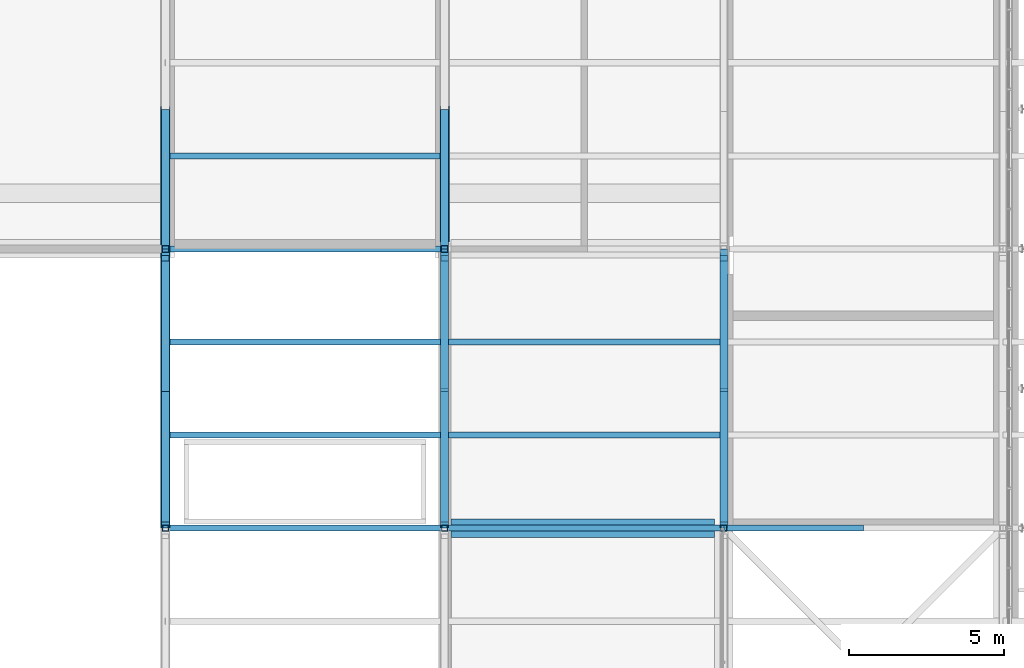
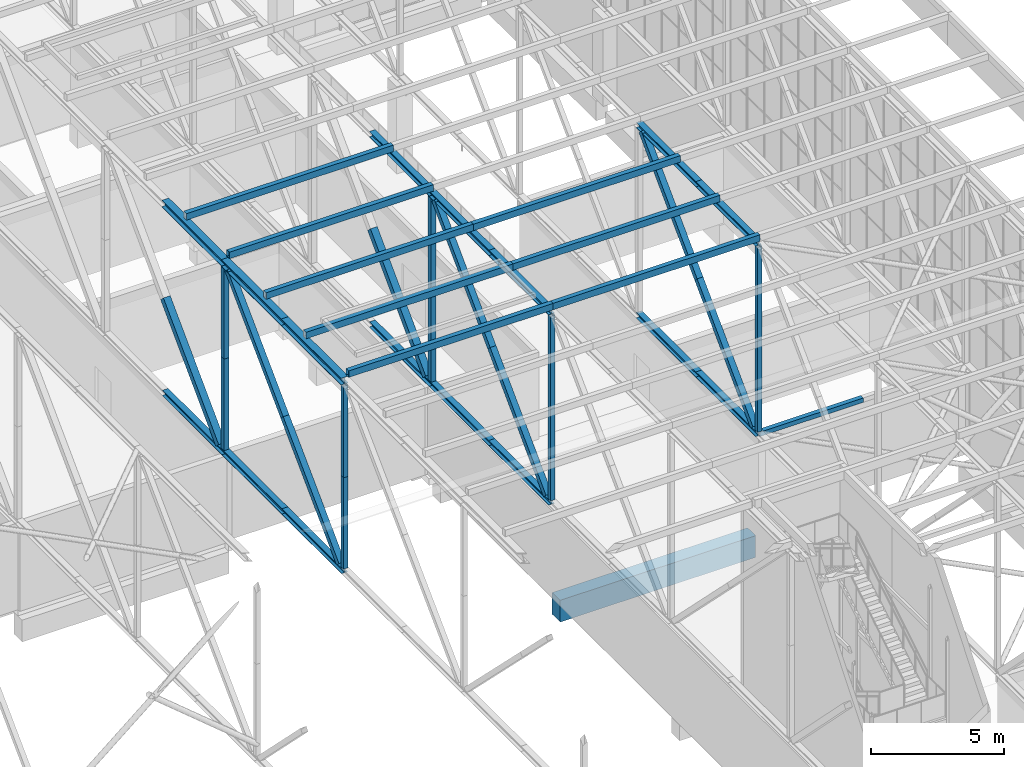
# One storey, part 101 of 646: 43 members, 1 beam.
"""IFC4 building model written with IfcOpenShell, lengths in metres."""

from ifc_helpers import new_model, si_unit, direction, frame, origin, origin_2d, place, context, subcontext, project, spatial, rectangle, hollow_rectangle, i_section, extrude, material, material_profile, profile_set, type_object, element, save


model = new_model("IFC4")

# Units and contexts
model_context = context("Model", 3, precision=1e-05, world=origin(), true_north=direction((0.0, 1.0)))
body_context = subcontext(model_context, "Body", "Model", "MODEL_VIEW")
ifc_project = project(units=[si_unit("LENGTHUNIT", "METRE"), si_unit("AREAUNIT", "SQUARE_METRE"), si_unit("VOLUMEUNIT", "CUBIC_METRE"), si_unit("PLANEANGLEUNIT", "RADIAN"), si_unit("MASSUNIT", "GRAM", prefix="KILO")], contexts=[model_context])

# Site, building, storey
site_placement = place(None, origin())
site = spatial("IfcSite", under=ifc_project, at=site_placement, CompositionType="ELEMENT")
building_placement = place(site_placement, origin())
building = spatial("IfcBuilding", under=site, at=building_placement, Name="Silverbay Arena", CompositionType="ELEMENT")
storey_placement = place(building_placement, frame((0.0, 0.0, 33.5)))
storey = spatial("IfcBuildingStorey", under=building, at=storey_placement, Name="L05", CompositionType="ELEMENT", Elevation=33.5)

# Members
ifc_material_1 = material(Name="Steel S355", Category="steel")
ifc_material_profile_1 = material_profile(ifc_material_1, hollow_rectangle(XDim=0.199951171875, YDim=0.199951171875, WallThickness=0.008056640625, at=origin_2d()), Name="SHS 200x200x8")
ifc_profile_set_1 = profile_set([ifc_material_profile_1], Name="Steel S355")
member_type_1 = type_object("IfcMemberType", Name="Bracing strut SHS 200x200x8", PredefinedType="STRUT", material=ifc_profile_set_1)
member_1_placement = place(storey_placement, frame((198.0, 90.0, 4.126953125), z_axis=(1.0, 0.0, 0.0), x_axis=(0.0, 1.0, 0.0)))
element("IfcMember", 1, at=member_1_placement, inside=storey, type_object=member_type_1, Name="ROOF BRACING strut 23-24 line 10a", PredefinedType="STRUT", context=body_context, shape_type="SweptSolid", body=[
    extrude(hollow_rectangle(XDim=0.199951171875, YDim=0.199951171875, WallThickness=0.008056640625, at=origin_2d()), origin(), (0.0, 0.0, 1.0), 4.5),
])
ifc_material_2 = material(Name="Steel S355", Category="steel")
ifc_material_profile_2 = material_profile(ifc_material_2, i_section(OverallWidth=0.2587890625, OverallDepth=0.2666015625, WebThickness=0.0126953125, FlangeThickness=0.0205078125, at=origin_2d()), Name="UC 254x254x107")
ifc_profile_set_2 = profile_set([ifc_material_profile_2], Name="Steel S355")
member_type_2 = type_object("IfcMemberType", Name="Long-span bottom chord UC 254x254x107", PredefinedType="CHORD", material=ifc_profile_set_2)
for number, where, z_axis, x_axis, name in (
    (2, (180.0, 90.0, 4.13330078125), (0.0, 1.0, 0.0), (-1.0, 0.0, 0.0), "ROOF TRUSS 21 bottom chord 10a"),
    (3, (180.0, 94.5, 4.13330078125), (0.0, 1.0, 0.0), (-1.0, 0.0, 0.0), "ROOF TRUSS 21 bottom chord 10b"),
):
    element("IfcMember", number, at=place(storey_placement, frame(where, z_axis=z_axis, x_axis=x_axis)), inside=storey, type_object=member_type_2, Name=name, PredefinedType="CHORD", context=body_context, shape_type="SweptSolid", body=[
        extrude(i_section(OverallWidth=0.2587890625, OverallDepth=0.2666015625, WebThickness=0.0126953125, FlangeThickness=0.0205078125, at=origin_2d()), origin(), (0.0, 0.0, 1.0), 4.5),
    ])
ifc_material_3 = material(Name="Steel S355", Category="steel")
ifc_material_profile_3 = material_profile(ifc_material_3, i_section(OverallWidth=0.254638671875, OverallDepth=0.254150390625, WebThickness=0.008544921875, FlangeThickness=0.01416015625, at=origin_2d()), Name="UC 254x254x73")
ifc_profile_set_3 = profile_set([ifc_material_profile_3], Name="Steel S355")
member_type_3 = type_object("IfcMemberType", Name="Long-span bottom chord UC 254x254x73", PredefinedType="CHORD", material=ifc_profile_set_3)
member_2_placement = place(storey_placement, frame((180.0, 99.0, 4.126953125), z_axis=(0.0, 1.0, 0.0), x_axis=(-1.0, 0.0, 0.0)))
element("IfcMember", 4, at=member_2_placement, inside=storey, type_object=member_type_3, Name="ROOF TRUSS 21 bottom chord 11a", PredefinedType="CHORD", context=body_context, shape_type="SweptSolid", body=[
    extrude(i_section(OverallWidth=0.254638671875, OverallDepth=0.254150390625, WebThickness=0.008544921875, FlangeThickness=0.01416015625, at=origin_2d()), origin(), (0.0, 0.0, 1.0), 4.5),
])
ifc_material_4 = material(Name="Steel S355", Category="steel")
ifc_material_profile_4 = material_profile(ifc_material_4, i_section(OverallWidth=0.307373046875, OverallDepth=0.314453125, WebThickness=0.011962890625, FlangeThickness=0.018798828125, at=origin_2d()), Name="UC 305x305x118")
ifc_profile_set_4 = profile_set([ifc_material_profile_4], Name="Steel S355")
member_type_4 = type_object("IfcMemberType", Name="Long-span top chord UC 305x305x118", PredefinedType="CHORD", material=ifc_profile_set_4)
member_3_placement = place(storey_placement, frame((180.0, 99.0, 12.8427734375), z_axis=(0.0, 1.0, 0.0), x_axis=(-1.0, 0.0, 0.0)))
element("IfcMember", 5, at=member_3_placement, inside=storey, type_object=member_type_4, Name="ROOF TRUSS 21 top chord 11a", PredefinedType="CHORD", context=body_context, shape_type="SweptSolid", body=[
    extrude(i_section(OverallWidth=0.307373046875, OverallDepth=0.314453125, WebThickness=0.011962890625, FlangeThickness=0.018798828125, at=origin_2d()), origin(), (0.0, 0.0, 1.0), 4.5),
])
ifc_material_5 = material(Name="Steel S355", Category="steel")
ifc_material_profile_5 = material_profile(ifc_material_5, i_section(OverallWidth=0.311279296875, OverallDepth=0.3271484375, WebThickness=0.015869140625, FlangeThickness=0.02490234375, at=origin_2d()), Name="UC 305x305x158")
ifc_profile_set_5 = profile_set([ifc_material_profile_5], Name="Steel S355")
member_type_5 = type_object("IfcMemberType", Name="Long-span top chord UC 305x305x158", PredefinedType="CHORD", material=ifc_profile_set_5)
for number, where, z_axis, x_axis, name in (
    (6, (180.0, 90.0, 12.83642578125), (0.0, 1.0, 0.0), (-1.0, 0.0, 0.0), "ROOF TRUSS 21 top chord 10a"),
    (7, (180.0, 94.5, 12.83642578125), (0.0, 1.0, 0.0), (-1.0, 0.0, 0.0), "ROOF TRUSS 21 top chord 10b"),
):
    element("IfcMember", number, at=place(storey_placement, frame(where, z_axis=z_axis, x_axis=x_axis)), inside=storey, type_object=member_type_5, Name=name, PredefinedType="CHORD", context=body_context, shape_type="SweptSolid", body=[
        extrude(i_section(OverallWidth=0.311279296875, OverallDepth=0.3271484375, WebThickness=0.015869140625, FlangeThickness=0.02490234375, at=origin_2d()), origin(), (0.0, 0.0, 1.0), 4.5),
    ])
ifc_material_6 = material(Name="Steel S355", Category="steel")
ifc_material_profile_6 = material_profile(ifc_material_6, hollow_rectangle(XDim=0.260009765625, YDim=0.260009765625, WallThickness=0.010009765625, at=origin_2d()), Name="SHS 260x260x10")
ifc_profile_set_6 = profile_set([ifc_material_profile_6], Name="Steel S355")
member_type_6 = type_object("IfcMemberType", Name="Long-span truss diagonal SHS 260x260x10", PredefinedType="BRACE", material=ifc_profile_set_6)
for number, where, z_axis, x_axis, name in (
    (8, (180.0, 98.699462890625, 12.6728515625), (0.0, -0.707209440454, -0.707004107012), (1.0, 0.0, 0.0), "ROOF TRUSS 21 diagonal 10a"),
    (9, (180.0, 94.4951171875, 8.4697265625), (0.0, -0.707229966942, -0.706983573967), (1.0, 0.0, 0.0), "ROOF TRUSS 21 diagonal 10b"),
):
    element("IfcMember", number, at=place(storey_placement, frame(where, z_axis=z_axis, x_axis=x_axis)), inside=storey, type_object=member_type_6, Name=name, PredefinedType="BRACE", context=body_context, shape_type="SweptSolid", body=[
        extrude(hollow_rectangle(XDim=0.260009765625, YDim=0.260009765625, WallThickness=0.010009765625, at=origin_2d()), origin(), (0.0, 0.0, 1.0), 5.945068359375),
    ])
ifc_material_7 = material(Name="Steel S355", Category="steel")
ifc_material_profile_7 = material_profile(ifc_material_7, hollow_rectangle(XDim=0.300048828125, YDim=0.300048828125, WallThickness=0.012451171875, at=origin_2d()), Name="SHS 300x300x12.5")
ifc_profile_set_7 = profile_set([ifc_material_profile_7], Name="Steel S355")
member_type_7 = type_object("IfcMemberType", Name="Long-span truss diagonal SHS 300x300x12.5", PredefinedType="BRACE", material=ifc_profile_set_7)
member_4_placement = place(storey_placement, frame((180.0, 103.492431640625, 8.4697265625), z_axis=(0.0, -0.702663144444, -0.711522666849), x_axis=(1.0, 0.0, 0.0)))
element("IfcMember", 10, at=member_4_placement, inside=storey, type_object=member_type_7, Name="ROOF TRUSS 21 diagonal 11b", PredefinedType="BRACE", context=body_context, shape_type="SweptSolid", body=[
    extrude(hollow_rectangle(XDim=0.300048828125, YDim=0.300048828125, WallThickness=0.012451171875, at=origin_2d()), origin(), (0.0, 0.0, 1.0), 5.9248046875),
])
ifc_material_8 = material(Name="Steel S355", Category="steel")
ifc_material_profile_8 = material_profile(ifc_material_8, hollow_rectangle(XDim=0.199951171875, YDim=0.199951171875, WallThickness=0.008056640625, at=origin_2d()), Name="SHS 200x200x8")
ifc_profile_set_8 = profile_set([ifc_material_profile_8], Name="Steel S355")
member_type_8 = type_object("IfcMemberType", Name="Long-span truss vertical SHS 200x200x8", PredefinedType="STRUT", material=ifc_profile_set_8)
for number, where, z_axis, x_axis, name in (
    (11, (180.0, 90.0, 4.2666015625), (0.0, 0.0, 1.0), (1.0, 0.0, 0.0), "ROOF TRUSS 21 vertical 10a"),
    (12, (180.0, 90.0, 8.4697265625), (0.0, 0.0, 1.0), (1.0, 0.0, 0.0), "ROOF TRUSS 21 vertical 10b"),
):
    element("IfcMember", number, at=place(storey_placement, frame(where, z_axis=z_axis, x_axis=x_axis)), inside=storey, type_object=member_type_8, Name=name, PredefinedType="STRUT", context=body_context, shape_type="SweptSolid", body=[
        extrude(hollow_rectangle(XDim=0.199951171875, YDim=0.199951171875, WallThickness=0.008056640625, at=origin_2d()), origin(), (0.0, 0.0, 1.0), 4.203125),
    ])
ifc_material_9 = material(Name="Steel S355", Category="steel")
ifc_material_profile_9 = material_profile(ifc_material_9, hollow_rectangle(XDim=0.219970703125, YDim=0.219970703125, WallThickness=0.008056640625, at=origin_2d()), Name="SHS 220x220x8")
ifc_profile_set_9 = profile_set([ifc_material_profile_9], Name="Steel S355")
member_type_9 = type_object("IfcMemberType", Name="Long-span truss vertical SHS 220x220x8", PredefinedType="STRUT", material=ifc_profile_set_9)
for number, where, z_axis, x_axis, name in (
    (13, (180.0, 99.0, 4.2666015625), (0.0, 0.0, 1.0), (1.0, 0.0, 0.0), "ROOF TRUSS 21 vertical 11a"),
    (14, (180.0, 99.0, 8.4697265625), (0.0, 0.0, 1.0), (1.0, 0.0, 0.0), "ROOF TRUSS 21 vertical 11b"),
):
    element("IfcMember", number, at=place(storey_placement, frame(where, z_axis=z_axis, x_axis=x_axis)), inside=storey, type_object=member_type_9, Name=name, PredefinedType="STRUT", context=body_context, shape_type="SweptSolid", body=[
        extrude(hollow_rectangle(XDim=0.219970703125, YDim=0.219970703125, WallThickness=0.008056640625, at=origin_2d()), origin(), (0.0, 0.0, 1.0), 4.203125),
    ])
ifc_material_10 = material(Name="Steel S355", Category="steel")
ifc_material_profile_10 = material_profile(ifc_material_10, i_section(OverallWidth=0.254638671875, OverallDepth=0.254150390625, WebThickness=0.008544921875, FlangeThickness=0.01416015625, at=origin_2d()), Name="UC 254x254x73")
ifc_profile_set_10 = profile_set([ifc_material_profile_10], Name="Steel S355")
member_type_10 = type_object("IfcMemberType", Name="Medium-span bottom chord UC 254x254x73", PredefinedType="CHORD", material=ifc_profile_set_10)
for number, where, z_axis, x_axis, name in (
    (15, (189.0, 90.0, 4.126953125), (0.0, 1.0, 0.0), (-1.0, 0.0, 0.0), "ROOF TRUSS 22 bottom chord 10a"),
    (16, (189.0, 94.5, 4.126953125), (0.0, 1.0, 0.0), (-1.0, 0.0, 0.0), "ROOF TRUSS 22 bottom chord 10b"),
    (17, (189.0, 99.0, 4.126953125), (0.0, 1.0, 0.0), (-1.0, 0.0, 0.0), "ROOF TRUSS 22 bottom chord 11a"),
):
    element("IfcMember", number, at=place(storey_placement, frame(where, z_axis=z_axis, x_axis=x_axis)), inside=storey, type_object=member_type_10, Name=name, PredefinedType="CHORD", context=body_context, shape_type="SweptSolid", body=[
        extrude(i_section(OverallWidth=0.254638671875, OverallDepth=0.254150390625, WebThickness=0.008544921875, FlangeThickness=0.01416015625, at=origin_2d()), origin(), (0.0, 0.0, 1.0), 4.5),
    ])
ifc_material_11 = material(Name="Steel S355", Category="steel")
ifc_material_profile_11 = material_profile(ifc_material_11, i_section(OverallWidth=0.2587890625, OverallDepth=0.2666015625, WebThickness=0.0126953125, FlangeThickness=0.0205078125, at=origin_2d()), Name="UC 254x254x107")
ifc_profile_set_11 = profile_set([ifc_material_profile_11], Name="Steel S355")
member_type_11 = type_object("IfcMemberType", Name="Medium-span top chord UC 254x254x107", PredefinedType="CHORD", material=ifc_profile_set_11)
for number, where, z_axis, x_axis, name in (
    (18, (189.0, 90.0, 12.86669921875), (0.0, 1.0, 0.0), (-1.0, 0.0, 0.0), "ROOF TRUSS 22 top chord 10a"),
    (19, (189.0, 94.5, 12.86669921875), (0.0, 1.0, 0.0), (-1.0, 0.0, 0.0), "ROOF TRUSS 22 top chord 10b"),
):
    element("IfcMember", number, at=place(storey_placement, frame(where, z_axis=z_axis, x_axis=x_axis)), inside=storey, type_object=member_type_11, Name=name, PredefinedType="CHORD", context=body_context, shape_type="SweptSolid", body=[
        extrude(i_section(OverallWidth=0.2587890625, OverallDepth=0.2666015625, WebThickness=0.0126953125, FlangeThickness=0.0205078125, at=origin_2d()), origin(), (0.0, 0.0, 1.0), 4.5),
    ])
ifc_material_12 = material(Name="Steel S355", Category="steel")
ifc_material_profile_12 = material_profile(ifc_material_12, i_section(OverallWidth=0.254638671875, OverallDepth=0.254150390625, WebThickness=0.008544921875, FlangeThickness=0.01416015625, at=origin_2d()), Name="UC 254x254x73")
ifc_profile_set_12 = profile_set([ifc_material_profile_12], Name="Steel S355")
member_type_12 = type_object("IfcMemberType", Name="Medium-span top chord UC 254x254x73", PredefinedType="CHORD", material=ifc_profile_set_12)
member_5_placement = place(storey_placement, frame((189.0, 99.0, 12.873046875), z_axis=(0.0, 1.0, 0.0), x_axis=(-1.0, 0.0, 0.0)))
element("IfcMember", 20, at=member_5_placement, inside=storey, type_object=member_type_12, Name="ROOF TRUSS 22 top chord 11a", PredefinedType="CHORD", context=body_context, shape_type="SweptSolid", body=[
    extrude(i_section(OverallWidth=0.254638671875, OverallDepth=0.254150390625, WebThickness=0.008544921875, FlangeThickness=0.01416015625, at=origin_2d()), origin(), (0.0, 0.0, 1.0), 4.5),
])
ifc_material_13 = material(Name="Steel S355", Category="steel")
ifc_material_profile_13 = material_profile(ifc_material_13, hollow_rectangle(XDim=0.260009765625, YDim=0.260009765625, WallThickness=0.010009765625, at=origin_2d()), Name="SHS 260x260x10")
ifc_profile_set_13 = profile_set([ifc_material_profile_13], Name="Steel S355")
member_type_13 = type_object("IfcMemberType", Name="Medium-span truss diagonal SHS 260x260x10", PredefinedType="BRACE", material=ifc_profile_set_13)
for number, where, z_axis, x_axis, name in (
    (21, (189.0, 98.700439453125, 12.7333984375), (0.0, -0.704218618707, -0.709983194918), (1.0, 0.0, 0.0), "ROOF TRUSS 22 diagonal 10a"),
    (22, (189.0, 94.4951171875, 8.49365234375), (0.0, -0.704259667026, -0.709942477529), (1.0, 0.0, 0.0), "ROOF TRUSS 22 diagonal 10b"),
):
    element("IfcMember", number, at=place(storey_placement, frame(where, z_axis=z_axis, x_axis=x_axis)), inside=storey, type_object=member_type_13, Name=name, PredefinedType="BRACE", context=body_context, shape_type="SweptSolid", body=[
        extrude(hollow_rectangle(XDim=0.260009765625, YDim=0.260009765625, WallThickness=0.010009765625, at=origin_2d()), origin(), (0.0, 0.0, 1.0), 5.9716796875),
    ])
ifc_material_14 = material(Name="Steel S355", Category="steel")
ifc_material_profile_14 = material_profile(ifc_material_14, hollow_rectangle(XDim=0.300048828125, YDim=0.300048828125, WallThickness=0.012451171875, at=origin_2d()), Name="SHS 300x300x12.5")
ifc_profile_set_14 = profile_set([ifc_material_profile_14], Name="Steel S355")
member_type_14 = type_object("IfcMemberType", Name="Medium-span truss diagonal SHS 300x300x12.5", PredefinedType="BRACE", material=ifc_profile_set_14)
member_6_placement = place(storey_placement, frame((189.0, 103.492431640625, 8.5), z_axis=(0.0, -0.700176070598, -0.713970216579), x_axis=(1.0, 0.0, 0.0)))
element("IfcMember", 23, at=member_6_placement, inside=storey, type_object=member_type_14, Name="ROOF TRUSS 22 diagonal 11b", PredefinedType="BRACE", context=body_context, shape_type="SweptSolid", body=[
    extrude(hollow_rectangle(XDim=0.300048828125, YDim=0.300048828125, WallThickness=0.012451171875, at=origin_2d()), origin(), (0.0, 0.0, 1.0), 5.94677734375),
])
ifc_material_15 = material(Name="Steel S355", Category="steel")
ifc_material_profile_15 = material_profile(ifc_material_15, hollow_rectangle(XDim=0.199951171875, YDim=0.199951171875, WallThickness=0.008056640625, at=origin_2d()), Name="SHS 200x200x8")
ifc_profile_set_15 = profile_set([ifc_material_profile_15], Name="Steel S355")
member_type_15 = type_object("IfcMemberType", Name="Medium-span truss vertical SHS 200x200x8", PredefinedType="STRUT", material=ifc_profile_set_15)
member_7_placement = place(storey_placement, frame((189.0, 90.0, 4.254150390625), z_axis=(0.0, 0.0, 1.0), x_axis=(1.0, 0.0, 0.0)))
element("IfcMember", 24, at=member_7_placement, inside=storey, type_object=member_type_15, Name="ROOF TRUSS 22 vertical 10a", PredefinedType="STRUT", context=body_context, shape_type="SweptSolid", body=[
    extrude(hollow_rectangle(XDim=0.199951171875, YDim=0.199951171875, WallThickness=0.008056640625, at=origin_2d()), origin(), (0.0, 0.0, 1.0), 4.239501953125),
])
member_8_placement = place(storey_placement, frame((189.0, 90.0, 8.49365234375), z_axis=(0.0, 0.0, 1.0), x_axis=(1.0, 0.0, 0.0)))
element("IfcMember", 25, at=member_8_placement, inside=storey, type_object=member_type_15, Name="ROOF TRUSS 22 vertical 10b", PredefinedType="STRUT", context=body_context, shape_type="SweptSolid", body=[
    extrude(hollow_rectangle(XDim=0.199951171875, YDim=0.199951171875, WallThickness=0.008056640625, at=origin_2d()), origin(), (0.0, 0.0, 1.0), 4.23974609375),
])
ifc_material_16 = material(Name="Steel S355", Category="steel")
ifc_material_profile_16 = material_profile(ifc_material_16, hollow_rectangle(XDim=0.219970703125, YDim=0.219970703125, WallThickness=0.008056640625, at=origin_2d()), Name="SHS 220x220x8")
ifc_profile_set_16 = profile_set([ifc_material_profile_16], Name="Steel S355")
member_type_16 = type_object("IfcMemberType", Name="Medium-span truss vertical SHS 220x220x8", PredefinedType="STRUT", material=ifc_profile_set_16)
member_9_placement = place(storey_placement, frame((189.0, 99.0, 4.254150390625), z_axis=(0.0, 0.0, 1.0), x_axis=(1.0, 0.0, 0.0)))
element("IfcMember", 26, at=member_9_placement, inside=storey, type_object=member_type_16, Name="ROOF TRUSS 22 vertical 11a", PredefinedType="STRUT", context=body_context, shape_type="SweptSolid", body=[
    extrude(hollow_rectangle(XDim=0.219970703125, YDim=0.219970703125, WallThickness=0.008056640625, at=origin_2d()), origin(), (0.0, 0.0, 1.0), 4.239501953125),
])
member_10_placement = place(storey_placement, frame((189.0, 99.0, 8.49365234375), z_axis=(0.0, 0.0, 1.0), x_axis=(1.0, 0.0, 0.0)))
element("IfcMember", 27, at=member_10_placement, inside=storey, type_object=member_type_16, Name="ROOF TRUSS 22 vertical 11b", PredefinedType="STRUT", context=body_context, shape_type="SweptSolid", body=[
    extrude(hollow_rectangle(XDim=0.219970703125, YDim=0.219970703125, WallThickness=0.008056640625, at=origin_2d()), origin(), (0.0, 0.0, 1.0), 4.23974609375),
])
ifc_material_17 = material(Name="Steel S355", Category="steel")
ifc_material_profile_17 = material_profile(ifc_material_17, hollow_rectangle(XDim=0.199951171875, YDim=0.300048828125, WallThickness=0.00634765625, at=origin_2d()), Name="RHS 300x200x6.3")
ifc_profile_set_17 = profile_set([ifc_material_profile_17], Name="Steel S355")
member_type_17 = type_object("IfcMemberType", Name="Purlin RHS 300x200x6.3", PredefinedType="PURLIN", material=ifc_profile_set_17)
member_11_placement = place(storey_placement, frame((180.125, 90.0, 13.14990234375), z_axis=(1.0, 0.0, 0.0), x_axis=(0.0, 1.0, 0.0)))
element("IfcMember", 28, at=member_11_placement, inside=storey, type_object=member_type_17, Name="ROOF PURLIN 21-22 line 28", PredefinedType="PURLIN", context=body_context, shape_type="SweptSolid", body=[
    extrude(hollow_rectangle(XDim=0.199951171875, YDim=0.300048828125, WallThickness=0.00634765625, at=origin_2d()), origin(), (0.0, 0.0, 1.0), 8.875),
])
for number, where, z_axis, x_axis, name in (
    (29, (180.0, 93.0, 13.14990234375), (1.0, 0.0, 0.0), (0.0, 1.0, 0.0), "ROOF PURLIN 21-22 line 29"),
    (30, (180.0, 96.0, 13.14990234375), (1.0, 0.0, 0.0), (0.0, 1.0, 0.0), "ROOF PURLIN 21-22 line 30"),
):
    element("IfcMember", number, at=place(storey_placement, frame(where, z_axis=z_axis, x_axis=x_axis)), inside=storey, type_object=member_type_17, Name=name, PredefinedType="PURLIN", context=body_context, shape_type="SweptSolid", body=[
        extrude(hollow_rectangle(XDim=0.199951171875, YDim=0.300048828125, WallThickness=0.00634765625, at=origin_2d()), origin(), (0.0, 0.0, 1.0), 9.0),
    ])
member_12_placement = place(storey_placement, frame((180.125, 99.0, 13.14990234375), z_axis=(1.0, 0.0, 0.0), x_axis=(0.0, 1.0, 0.0)))
element("IfcMember", 31, at=member_12_placement, inside=storey, type_object=member_type_17, Name="ROOF PURLIN 21-22 line 31", PredefinedType="PURLIN", context=body_context, shape_type="SweptSolid", body=[
    extrude(hollow_rectangle(XDim=0.199951171875, YDim=0.300048828125, WallThickness=0.00634765625, at=origin_2d()), origin(), (0.0, 0.0, 1.0), 8.875),
])
for number, where, z_axis, x_axis, name in (
    (32, (180.0, 102.0, 13.14990234375), (1.0, 0.0, 0.0), (0.0, 1.0, 0.0), "ROOF PURLIN 21-22 line 32"),
    (33, (189.0, 90.0, 13.14990234375), (1.0, 0.0, 0.0), (0.0, 1.0, 0.0), "ROOF PURLIN 22-23 line 28"),
    (34, (189.0, 93.0, 13.14990234375), (1.0, 0.0, 0.0), (0.0, 1.0, 0.0), "ROOF PURLIN 22-23 line 29"),
    (35, (189.0, 96.0, 13.14990234375), (1.0, 0.0, 0.0), (0.0, 1.0, 0.0), "ROOF PURLIN 22-23 line 30"),
):
    element("IfcMember", number, at=place(storey_placement, frame(where, z_axis=z_axis, x_axis=x_axis)), inside=storey, type_object=member_type_17, Name=name, PredefinedType="PURLIN", context=body_context, shape_type="SweptSolid", body=[
        extrude(hollow_rectangle(XDim=0.199951171875, YDim=0.300048828125, WallThickness=0.00634765625, at=origin_2d()), origin(), (0.0, 0.0, 1.0), 9.0),
    ])

# Beam
ifc_material_18 = material(Name="Concrete Grade C45", Category="concrete")
ifc_material_profile_18 = material_profile(ifc_material_18, rectangle(XDim=0.60009765625, YDim=1.0, at=origin_2d()), Name="RC 600x1000")
ifc_profile_set_18 = profile_set([ifc_material_profile_18], Name="Concrete Grade C45")
beam_type = type_object("IfcBeamType", Name="RC beam 600x1000", PredefinedType="BEAM", material=ifc_profile_set_18)
beam_placement = place(storey_placement, frame((189.199951171875, 90.0, -0.800048828125), z_axis=(1.0, 0.0, 0.0), x_axis=(0.0, 1.0, 0.0)))
element("IfcBeam", 36, at=beam_placement, inside=storey, type_object=beam_type, Name="Floor beam L05 038", PredefinedType="BEAM", context=body_context, shape_type="SweptSolid", body=[
    extrude(rectangle(XDim=0.60009765625, YDim=1.0, at=origin_2d()), origin(), (0.0, 0.0, 1.0), 8.5),
])

# Members
ifc_material_19 = material(Name="Steel S355", Category="steel")
ifc_material_profile_19 = material_profile(ifc_material_19, i_section(OverallWidth=0.254638671875, OverallDepth=0.254150390625, WebThickness=0.008544921875, FlangeThickness=0.01416015625, at=origin_2d()), Name="UC 254x254x73")
ifc_profile_set_19 = profile_set([ifc_material_profile_19], Name="Steel S355")
member_type_18 = type_object("IfcMemberType", Name="Short-span bottom chord UC 254x254x73", PredefinedType="CHORD", material=ifc_profile_set_19)
for number, where, z_axis, x_axis, name in (
    (37, (198.0, 90.0, 4.126953125), (0.0, 1.0, 0.0), (-1.0, 0.0, 0.0), "ROOF TRUSS 23 bottom chord 10a"),
    (38, (198.0, 94.5, 4.126953125), (0.0, 1.0, 0.0), (-1.0, 0.0, 0.0), "ROOF TRUSS 23 bottom chord 10b"),
):
    element("IfcMember", number, at=place(storey_placement, frame(where, z_axis=z_axis, x_axis=x_axis)), inside=storey, type_object=member_type_18, Name=name, PredefinedType="CHORD", context=body_context, shape_type="SweptSolid", body=[
        extrude(i_section(OverallWidth=0.254638671875, OverallDepth=0.254150390625, WebThickness=0.008544921875, FlangeThickness=0.01416015625, at=origin_2d()), origin(), (0.0, 0.0, 1.0), 4.5),
    ])
ifc_material_20 = material(Name="Steel S355", Category="steel")
ifc_material_profile_20 = material_profile(ifc_material_20, i_section(OverallWidth=0.254638671875, OverallDepth=0.254150390625, WebThickness=0.008544921875, FlangeThickness=0.01416015625, at=origin_2d()), Name="UC 254x254x73")
ifc_profile_set_20 = profile_set([ifc_material_profile_20], Name="Steel S355")
member_type_19 = type_object("IfcMemberType", Name="Short-span top chord UC 254x254x73", PredefinedType="CHORD", material=ifc_profile_set_20)
for number, where, z_axis, x_axis, name in (
    (39, (198.0, 90.0, 12.873046875), (0.0, 1.0, 0.0), (-1.0, 0.0, 0.0), "ROOF TRUSS 23 top chord 10a"),
    (40, (198.0, 94.5, 12.873046875), (0.0, 1.0, 0.0), (-1.0, 0.0, 0.0), "ROOF TRUSS 23 top chord 10b"),
):
    element("IfcMember", number, at=place(storey_placement, frame(where, z_axis=z_axis, x_axis=x_axis)), inside=storey, type_object=member_type_19, Name=name, PredefinedType="CHORD", context=body_context, shape_type="SweptSolid", body=[
        extrude(i_section(OverallWidth=0.254638671875, OverallDepth=0.254150390625, WebThickness=0.008544921875, FlangeThickness=0.01416015625, at=origin_2d()), origin(), (0.0, 0.0, 1.0), 4.5),
    ])
ifc_material_21 = material(Name="Steel S355", Category="steel")
ifc_material_profile_21 = material_profile(ifc_material_21, hollow_rectangle(XDim=0.260009765625, YDim=0.260009765625, WallThickness=0.010009765625, at=origin_2d()), Name="SHS 260x260x10")
ifc_profile_set_21 = profile_set([ifc_material_profile_21], Name="Steel S355")
member_type_20 = type_object("IfcMemberType", Name="Short-span truss diagonal SHS 260x260x10", PredefinedType="BRACE", material=ifc_profile_set_21)
for number, where, z_axis, x_axis, name in (
    (41, (198.0, 98.70068359375, 12.745849609375), (0.0, -0.703728402193, -0.710469095701), (1.0, 0.0, 0.0), "ROOF TRUSS 23 diagonal 10a"),
    (42, (198.0, 94.4951171875, 8.5), (0.0, -0.703728402193, -0.710469095701), (1.0, 0.0, 0.0), "ROOF TRUSS 23 diagonal 10b"),
):
    element("IfcMember", number, at=place(storey_placement, frame(where, z_axis=z_axis, x_axis=x_axis)), inside=storey, type_object=member_type_20, Name=name, PredefinedType="BRACE", context=body_context, shape_type="SweptSolid", body=[
        extrude(hollow_rectangle(XDim=0.260009765625, YDim=0.260009765625, WallThickness=0.010009765625, at=origin_2d()), origin(), (0.0, 0.0, 1.0), 5.97607421875),
    ])
ifc_material_22 = material(Name="Steel S355", Category="steel")
ifc_material_profile_22 = material_profile(ifc_material_22, hollow_rectangle(XDim=0.199951171875, YDim=0.199951171875, WallThickness=0.008056640625, at=origin_2d()), Name="SHS 200x200x8")
ifc_profile_set_22 = profile_set([ifc_material_profile_22], Name="Steel S355")
member_type_21 = type_object("IfcMemberType", Name="Short-span truss vertical SHS 200x200x8", PredefinedType="STRUT", material=ifc_profile_set_22)
for number, where, z_axis, x_axis, name in (
    (43, (198.0, 90.0, 4.254150390625), (0.0, 0.0, 1.0), (1.0, 0.0, 0.0), "ROOF TRUSS 23 vertical 10a"),
    (44, (198.0, 90.0, 8.5), (0.0, 0.0, 1.0), (1.0, 0.0, 0.0), "ROOF TRUSS 23 vertical 10b"),
):
    element("IfcMember", number, at=place(storey_placement, frame(where, z_axis=z_axis, x_axis=x_axis)), inside=storey, type_object=member_type_21, Name=name, PredefinedType="STRUT", context=body_context, shape_type="SweptSolid", body=[
        extrude(hollow_rectangle(XDim=0.199951171875, YDim=0.199951171875, WallThickness=0.008056640625, at=origin_2d()), origin(), (0.0, 0.0, 1.0), 4.245849609375),
    ])

save(model, "model.ifc")
